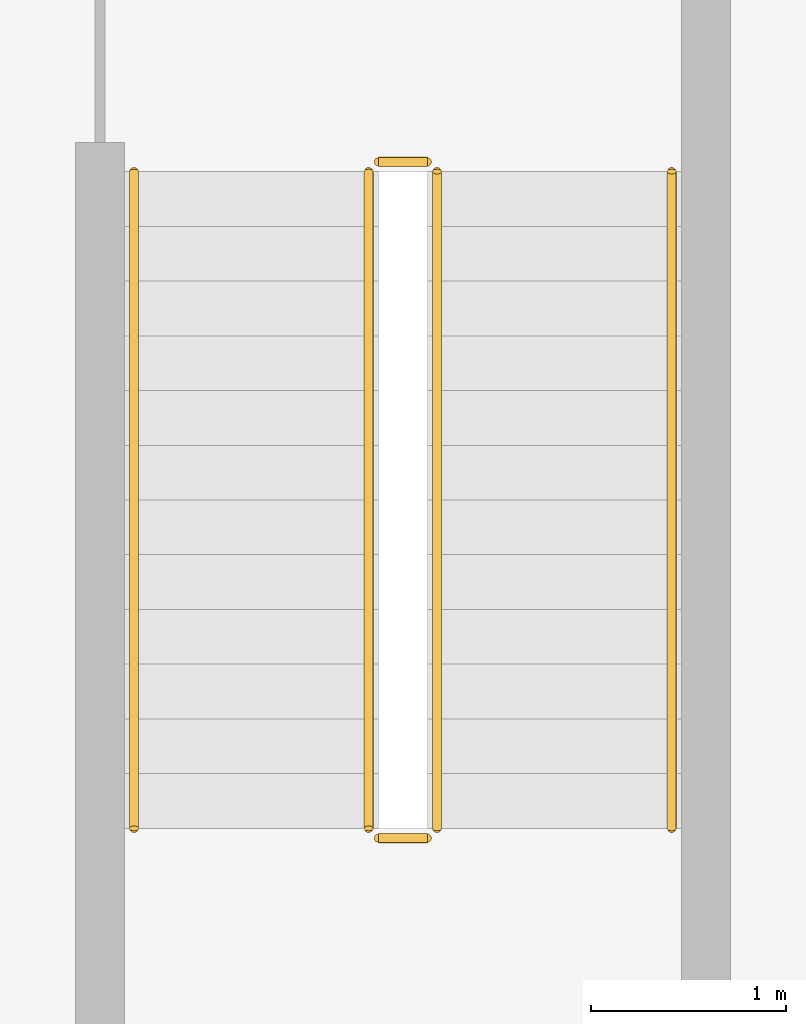
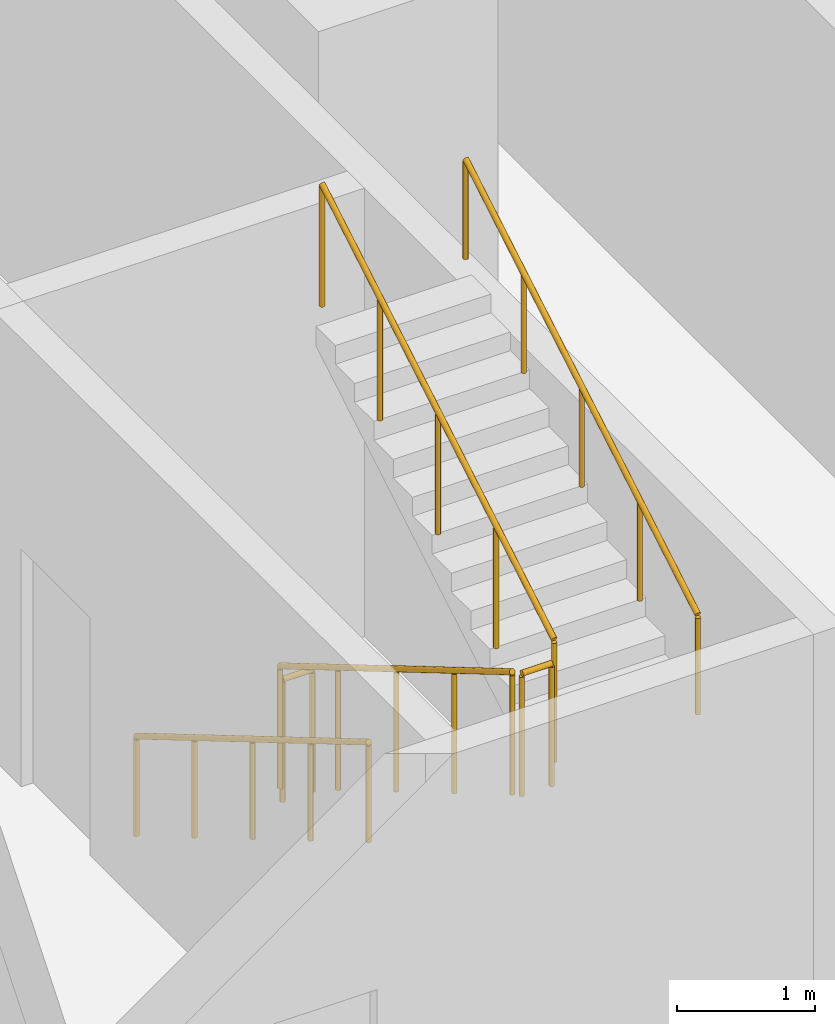
# One storey, part 25 of 29: 6 railings.
"""IFC4 building model written with IfcOpenShell, lengths in metres."""

from ifc_helpers import new_model, si_unit, direction, frame, origin, origin_2d, place, context, subcontext, project, spatial, circle, extrude, material, type_object, element, save


model = new_model("IFC4")

# Units and contexts
model_context = context("Model", 3, precision=1e-05, world=origin(), true_north=direction((0.0, 1.0)))
body_context = subcontext(model_context, "Body", "Model", "MODEL_VIEW")
ifc_project = project(units=[si_unit("LENGTHUNIT", "METRE"), si_unit("AREAUNIT", "SQUARE_METRE"), si_unit("VOLUMEUNIT", "CUBIC_METRE"), si_unit("PLANEANGLEUNIT", "RADIAN"), si_unit("MASSUNIT", "GRAM", prefix="KILO")], contexts=[model_context])

# Site, building, storey
site_placement = place(None, origin())
site = spatial("IfcSite", under=ifc_project, at=site_placement, CompositionType="ELEMENT")
building_placement = place(site_placement, origin())
building = spatial("IfcBuilding", under=site, at=building_placement, Name="Mahtab Terrace Research Tower", CompositionType="ELEMENT")
storey_placement = place(building_placement, frame((0.0, 0.0, 58.89990234375)))
storey = spatial("IfcBuildingStorey", under=building, at=storey_placement, Name="L13", CompositionType="ELEMENT", Elevation=58.89990234375)

# Railings
ifc_material = material(Name="Stainless steel AISI 304", Category="steel")
railing_type_1 = type_object("IfcRailingType", Name="Stair guard 1100", PredefinedType="GUARDRAIL", material=ifc_material)
railing_1_placement = place(storey_placement, frame((2.949951171875, -4.175048828125, 0.16552734375)))
element("IfcRailing", 1, at=railing_1_placement, inside=storey, type_object=railing_type_1, Name="L13 ST2 stair guard 1", PredefinedType="GUARDRAIL", context=body_context, shape_type="SweptSolid", body=[
    extrude(circle(Radius=0.02392578125, at=origin_2d()), frame((0.0, 0.0, 1.076171875), z_axis=(0.0, -0.861011212953, 0.508585972249), x_axis=(1.0, 0.0, 0.0)), (0.0, 0.0, 1.0), 3.90234375),
    extrude(circle(Radius=0.02099609375, at=origin_2d()), origin(), (0.0, 0.0, 1.0), 1.052001953125),
    extrude(circle(Radius=0.02099609375, at=origin_2d()), frame((0.0, -0.83984375, 0.49609375)), (0.0, 0.0, 1.0), 1.052001953125),
    extrude(circle(Radius=0.02099609375, at=origin_2d()), frame((0.0, -1.679931640625, 0.9921875)), (0.0, 0.0, 1.0), 1.052001953125),
    extrude(circle(Radius=0.02099609375, at=origin_2d()), frame((0.0, -2.52001953125, 1.488525390625)), (0.0, 0.0, 1.0), 1.052001953125),
    extrude(circle(Radius=0.02099609375, at=origin_2d()), frame((0.0, -3.35986328125, 1.984619140625)), (0.0, 0.0, 1.0), 1.052001953125),
])
railing_2_placement = place(storey_placement, frame((3.0, -7.5849609375, 2.150146484375)))
element("IfcRailing", 2, at=railing_2_placement, inside=storey, type_object=railing_type_1, Name="L13 ST2 stair guard 2", PredefinedType="GUARDRAIL", context=body_context, shape_type="SweptSolid", body=[
    extrude(circle(Radius=0.02392578125, at=origin_2d()), frame((0.0, 0.0, 1.076171875), z_axis=(1.0, 0.0, 0.0), x_axis=(0.0, 1.0, 0.0)), (0.0, 0.0, 1.0), 0.25),
    extrude(circle(Radius=0.02099609375, at=origin_2d()), origin(), (0.0, 0.0, 1.0), 1.052001953125),
    extrude(circle(Radius=0.02099609375, at=origin_2d()), frame((0.25, 0.0, 0.0)), (0.0, 0.0, 1.0), 1.052001953125),
])
railing_3_placement = place(storey_placement, frame((3.300048828125, -7.534912109375, 2.3154296875)))
element("IfcRailing", 3, at=railing_3_placement, inside=storey, type_object=railing_type_1, Name="L13 ST2 stair guard 3", PredefinedType="GUARDRAIL", context=body_context, shape_type="SweptSolid", body=[
    extrude(circle(Radius=0.02392578125, at=origin_2d()), frame((0.0, 0.0, 1.076171875), z_axis=(0.0, 0.861011212953, 0.508585972249), x_axis=(-1.0, 0.0, 0.0)), (0.0, 0.0, 1.0), 3.90234375),
    extrude(circle(Radius=0.02099609375, at=origin_2d()), origin(), (0.0, 0.0, 1.0), 1.052001953125),
    extrude(circle(Radius=0.02099609375, at=origin_2d()), frame((0.0, 0.83984375, 0.49609375)), (0.0, 0.0, 1.0), 1.052001953125),
    extrude(circle(Radius=0.02099609375, at=origin_2d()), frame((0.0, 1.679931640625, 0.9921875)), (0.0, 0.0, 1.0), 1.052001953125),
    extrude(circle(Radius=0.02099609375, at=origin_2d()), frame((0.0, 2.52001953125, 1.488525390625)), (0.0, 0.0, 1.0), 1.052001953125),
    extrude(circle(Radius=0.02099609375, at=origin_2d()), frame((0.0, 3.35986328125, 1.984619140625)), (0.0, 0.0, 1.0), 1.052001953125),
])
railing_4_placement = place(storey_placement, frame((3.0, -4.125, 0.0)))
element("IfcRailing", 4, at=railing_4_placement, inside=storey, type_object=railing_type_1, Name="L13 ST2 stair guard 4", PredefinedType="GUARDRAIL", context=body_context, shape_type="SweptSolid", body=[
    extrude(circle(Radius=0.02392578125, at=origin_2d()), frame((0.0, 0.0, 1.076171875), z_axis=(1.0, 0.0, 0.0), x_axis=(0.0, 1.0, 0.0)), (0.0, 0.0, 1.0), 0.25),
    extrude(circle(Radius=0.02099609375, at=origin_2d()), origin(), (0.0, 0.0, 1.0), 1.052001953125),
    extrude(circle(Radius=0.02099609375, at=origin_2d()), frame((0.25, 0.0, 0.0)), (0.0, 0.0, 1.0), 1.052001953125),
])
railing_type_2 = type_object("IfcRailingType", Name="Stair handrail 900", PredefinedType="HANDRAIL", material=ifc_material)
railing_5_placement = place(storey_placement, frame((1.75, -4.175048828125, 0.16552734375)))
element("IfcRailing", 5, at=railing_5_placement, inside=storey, type_object=railing_type_2, Name="L13 ST2 stair handrail 1", PredefinedType="HANDRAIL", context=body_context, shape_type="SweptSolid", body=[
    extrude(circle(Radius=0.02392578125, at=origin_2d()), frame((0.0, 0.0, 0.8759765625), z_axis=(0.0, -0.861011212953, 0.508585972249), x_axis=(1.0, 0.0, 0.0)), (0.0, 0.0, 1.0), 3.90234375),
    extrude(circle(Radius=0.02099609375, at=origin_2d()), origin(), (0.0, 0.0, 1.0), 0.851806640625),
    extrude(circle(Radius=0.02099609375, at=origin_2d()), frame((0.0, -0.83984375, 0.49609375)), (0.0, 0.0, 1.0), 0.851806640625),
    extrude(circle(Radius=0.02099609375, at=origin_2d()), frame((0.0, -1.679931640625, 0.9921875)), (0.0, 0.0, 1.0), 0.851806640625),
    extrude(circle(Radius=0.02099609375, at=origin_2d()), frame((0.0, -2.52001953125, 1.488525390625)), (0.0, 0.0, 1.0), 0.851806640625),
    extrude(circle(Radius=0.02099609375, at=origin_2d()), frame((0.0, -3.35986328125, 1.984619140625)), (0.0, 0.0, 1.0), 0.851806640625),
])
railing_6_placement = place(storey_placement, frame((4.5, -7.534912109375, 2.3154296875)))
element("IfcRailing", 6, at=railing_6_placement, inside=storey, type_object=railing_type_2, Name="L13 ST2 stair handrail 2", PredefinedType="HANDRAIL", context=body_context, shape_type="SweptSolid", body=[
    extrude(circle(Radius=0.02392578125, at=origin_2d()), frame((0.0, 0.0, 0.8759765625), z_axis=(0.0, 0.861011212953, 0.508585972249), x_axis=(-1.0, 0.0, 0.0)), (0.0, 0.0, 1.0), 3.90234375),
    extrude(circle(Radius=0.02099609375, at=origin_2d()), origin(), (0.0, 0.0, 1.0), 0.851806640625),
    extrude(circle(Radius=0.02099609375, at=origin_2d()), frame((0.0, 0.83984375, 0.49609375)), (0.0, 0.0, 1.0), 0.851806640625),
    extrude(circle(Radius=0.02099609375, at=origin_2d()), frame((0.0, 1.679931640625, 0.9921875)), (0.0, 0.0, 1.0), 0.851806640625),
    extrude(circle(Radius=0.02099609375, at=origin_2d()), frame((0.0, 2.52001953125, 1.488525390625)), (0.0, 0.0, 1.0), 0.851806640625),
    extrude(circle(Radius=0.02099609375, at=origin_2d()), frame((0.0, 3.35986328125, 1.984619140625)), (0.0, 0.0, 1.0), 0.851806640625),
])

save(model, "model.ifc")
